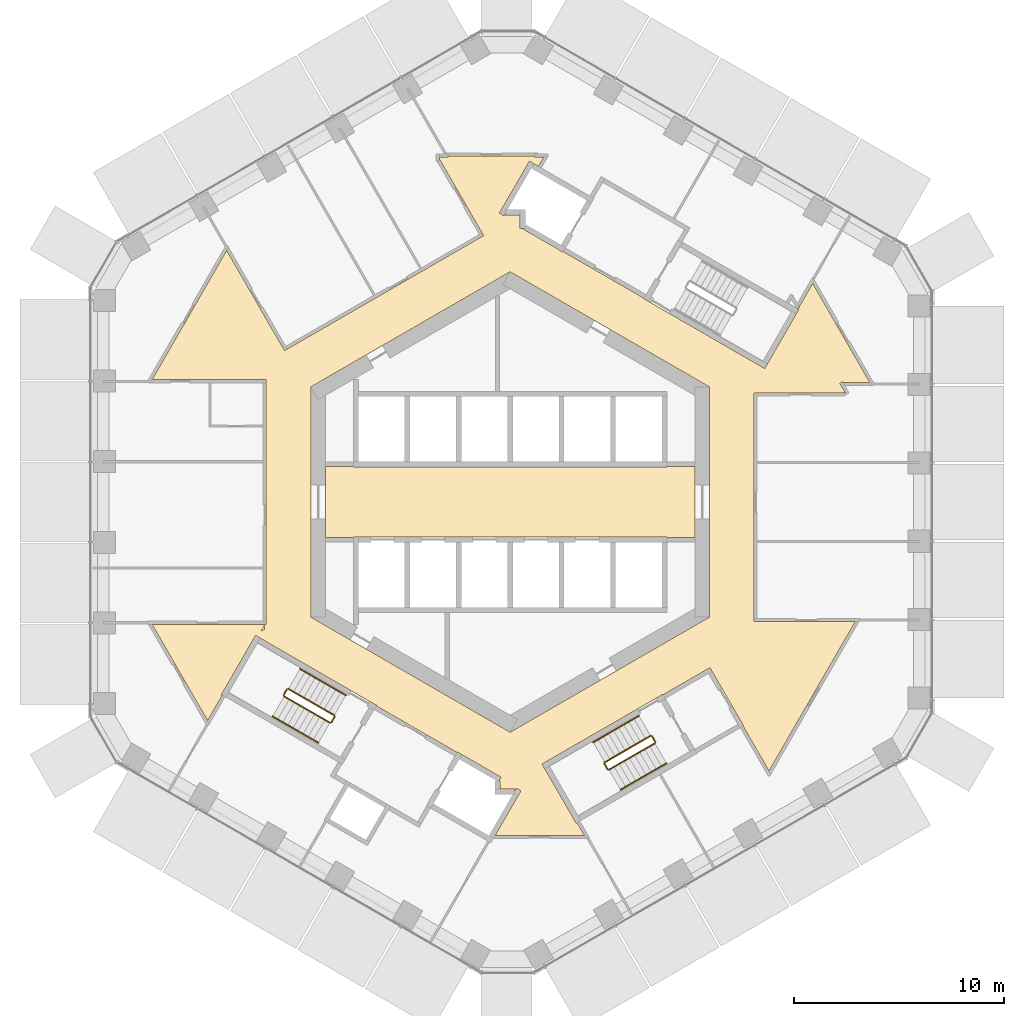
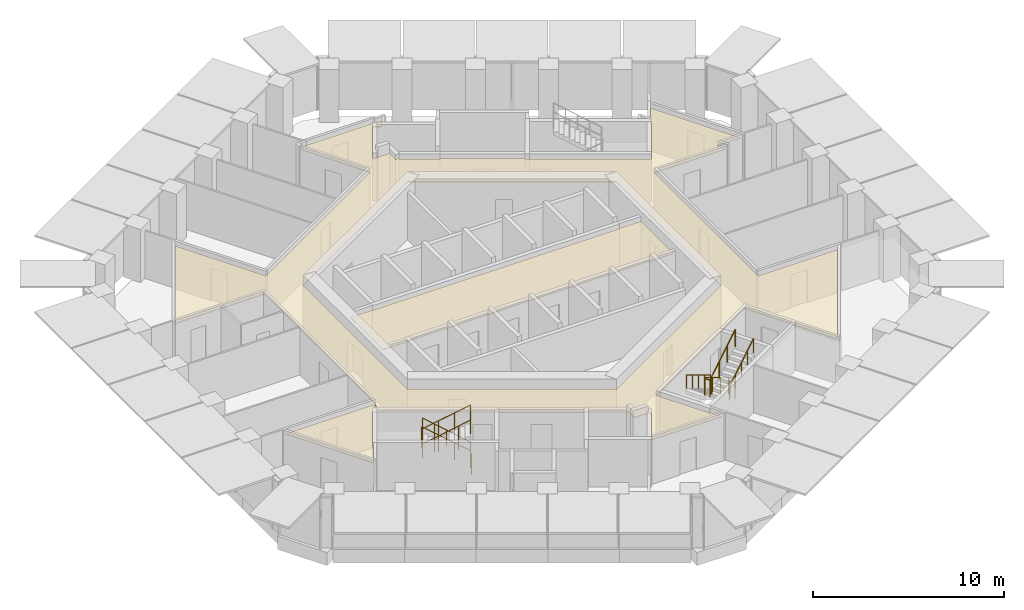
# One storey, part 17 of 18: 16 railings, 2 coverings.
"""IFC4 building model written with IfcOpenShell, lengths in metres."""

from ifc_helpers import new_model, si_unit, direction, frame, origin, origin_2d, place, context, subcontext, project, spatial, polyline, circle, outline, extrude, material, layer, layer_set, type_object, element, save


model = new_model("IFC4")

# Units and contexts
model_context = context("Model", 3, precision=1e-05, world=origin(), true_north=direction((0.0, 1.0)))
body_context = subcontext(model_context, "Body", "Model", "MODEL_VIEW")
ifc_project = project(units=[si_unit("LENGTHUNIT", "METRE"), si_unit("AREAUNIT", "SQUARE_METRE"), si_unit("VOLUMEUNIT", "CUBIC_METRE"), si_unit("PLANEANGLEUNIT", "RADIAN"), si_unit("MASSUNIT", "GRAM", prefix="KILO")], contexts=[model_context])

# Site, building, storey
site_placement = place(None, origin())
site = spatial("IfcSite", under=ifc_project, at=site_placement, CompositionType="ELEMENT")
building_placement = place(site_placement, origin())
building = spatial("IfcBuilding", under=site, at=building_placement, Name="Ayvan Gate Tower", CompositionType="ELEMENT")
storey_placement = place(building_placement, frame((0.0, 0.0, 89.89990234375)))
storey = spatial("IfcBuildingStorey", under=building, at=storey_placement, Name="L23", CompositionType="ELEMENT", Elevation=89.89990234375)

# Coverings
ifc_material_1 = material(Name="Plasterboard suspended ceiling")
ifc_layer = layer(ifc_material_1, 0.050048828125)
ifc_layer_set = layer_set([ifc_layer], Name="Plasterboard suspended ceiling")
covering_type = type_object("IfcCoveringType", Name="CT-SUSP-50", PredefinedType="CEILING", material=ifc_layer_set)
covering_1_placement = place(storey_placement, frame((0.0, 0.0, 2.7001953125)))
element("IfcCovering", 1, at=covering_1_placement, inside=storey, type_object=covering_type, Name="Ceiling Lift Lobby L23", PredefinedType="CEILING", context=body_context, shape_type="SweptSolid", body=[
    extrude(outline(polyline([(7.47509765625, -1.675048828125), (-7.47509765625, -1.675048828125), (-7.47509765625, -1.699951171875), (-8.800048828125, -1.699951171875), (-8.800048828125, 1.699951171875), (-7.47509765625, 1.699951171875), (-7.47509765625, 1.675048828125), (7.47509765625, 1.675048828125), (7.47509765625, 1.699951171875), (8.800048828125, 1.699951171875), (8.800048828125, -1.699951171875), (7.47509765625, -1.699951171875), (7.47509765625, -1.675048828125)])), origin(), (0.0, 0.0, 1.0), 0.0498046875),
])
covering_2_placement = place(storey_placement, frame((0.0, 0.0, 2.7001953125)))
element("IfcCovering", 2, at=covering_2_placement, inside=storey, type_object=covering_type, Name="Ceiling Ring Corridor L23", PredefinedType="CEILING", context=body_context, shape_type="SweptSolid", body=[
    extrude(outline(polyline([(-11.625, 5.826904296875), (-17.065185546875, 5.826904296875), (-13.507568359375, 11.98876953125), (-10.751953125, 7.2158203125), (-10.639404296875, 7.28076171875), (-1.2626953125, 12.6943359375), (-1.337890625, 12.82421875), (-3.347412109375, 16.30517578125), (-3.375, 16.289306640625), (-3.375, 16.43603515625), (-2.968505859375, 16.43603515625), (-2.968505859375, 16.492431640625), (1.15380859375, 16.492431640625), (1.15380859375, 16.43603515625), (1.6083984375, 16.43603515625), (1.351806640625, 15.99169921875), (1.135498046875, 16.116455078125), (0.918701171875, 16.241455078125), (-0.511474609375, 13.76416015625), (-0.294921875, 13.63916015625), (-0.215576171875, 13.776611328125), (-0.215576171875, 13.68505859375), (0.47509765625, 13.68505859375), (0.47509765625, 13.03857421875), (0.672119140625, 13.03857421875), (0.645751953125, 12.992919921875), (2.518310546875, 11.91162109375), (2.53076171875, 11.933349609375), (6.384521484375, 9.70849609375), (6.3720703125, 9.686767578125), (6.588623046875, 9.561767578125), (12.131103515625, 6.36181640625), (12.24609375, 6.56103515625), (13.631103515625, 8.959716796875), (13.756103515625, 9.176513671875), (13.681396484375, 9.219482421875), (13.7919921875, 9.283447265625), (13.744384765625, 9.365966796875), (13.7919921875, 9.33837890625), (14.414794921875, 10.417236328125), (17.136474609375, 5.70361328125), (15.890625, 5.70361328125), (15.890625, 5.648681640625), (15.843017578125, 5.73095703125), (15.713134765625, 5.656005859375), (15.974365234375, 5.20361328125), (11.625, 5.20361328125), (11.625, -5.70361328125), (16.443603515625, -5.70361328125), (12.33642578125, -12.8173828125), (11.102294921875, -10.6796875), (11.123779296875, -10.667236328125), (9.623779296875, -8.069091796875), (9.52392578125, -7.89599609375), (7.2939453125, -9.183349609375), (7.281494140625, -9.16162109375), (1.522216796875, -12.48681640625), (1.647216796875, -12.703369140625), (3.147216796875, -15.30126953125), (3.190673828125, -15.2763671875), (3.54638671875, -15.892333984375), (-0.71728515625, -15.892333984375), (0.511474609375, -13.76416015625), (0.294921875, -13.63916015625), (0.215576171875, -13.776611328125), (0.215576171875, -13.68505859375), (-0.47509765625, -13.68505859375), (-0.47509765625, -13.28857421875), (-0.52783203125, -13.28857421875), (-0.42919921875, -13.117919921875), (-2.284423828125, -12.046630859375), (-2.518310546875, -11.91162109375), (-2.53076171875, -11.933349609375), (-6.384521484375, -9.70849609375), (-6.3720703125, -9.686767578125), (-11.897216796875, -6.49658203125), (-12.131103515625, -6.36181640625), (-13.756103515625, -9.17626953125), (-13.712890625, -9.201416015625), (-14.414794921875, -10.417236328125), (-17.065185546875, -5.826904296875), (-11.625, -5.826904296875), (-11.625, 5.826904296875)]), holes=[polyline([(9.5, 5.48486328125), (8.771728515625, 5.9052734375), (0.0, 10.9697265625), (-8.771728515625, 5.9052734375), (-9.5, 5.48486328125), (-9.5, -5.48486328125), (-8.771728515625, -5.9052734375), (0.0, -10.9697265625), (8.771728515625, -5.9052734375), (9.5, -5.48486328125), (9.5, 5.48486328125)]), polyline([(-11.699951171875, -6.062255859375), (-11.699951171875, -5.864990234375), (-11.870849609375, -6.160888671875), (-11.699951171875, -6.062255859375)])]), origin(), (0.0, 0.0, 1.0), 0.0498046875),
])

# Railings
ifc_material_2 = material(Name="Stainless steel balustrade", Category="steel")
railing_type_1 = type_object("IfcRailingType", Name="RL-GUARD-1100", PredefinedType="GUARDRAIL", material=ifc_material_2)
railing_1_placement = place(storey_placement, frame((-8.381103515625, -10.16650390625, 0.170166015625)))
element("IfcRailing", 3, at=railing_1_placement, inside=storey, type_object=railing_type_1, Name="L23 STS2 stair guard 1", PredefinedType="GUARDRAIL", context=body_context, shape_type="SweptSolid", body=[
    extrude(circle(Radius=0.02392578125, at=origin_2d()), frame((0.0, 0.0, 1.076171875), z_axis=(-0.740261155115, 0.427395438142, 0.518986090067), x_axis=(-0.500004791531, -0.866022637375, 0.0)), (0.0, 0.0, 1.0), 2.947998046875),
    extrude(circle(Radius=0.02099609375, at=origin_2d()), origin(), (0.0, 0.0, 1.0), 1.052001953125),
    extrude(circle(Radius=0.02099609375, at=origin_2d()), frame((-0.7275390625, 0.419921875, 0.510009765625)), (0.0, 0.0, 1.0), 1.052001953125),
    extrude(circle(Radius=0.02099609375, at=origin_2d()), frame((-1.454833984375, 0.840087890625, 1.02001953125)), (0.0, 0.0, 1.0), 1.052001953125),
    extrude(circle(Radius=0.02099609375, at=origin_2d()), frame((-2.182373046875, 1.260009765625, 1.530029296875)), (0.0, 0.0, 1.0), 1.052001953125),
])
railing_2_placement = place(storey_placement, frame((-10.6318359375, -8.9248046875, 1.7001953125)))
element("IfcRailing", 4, at=railing_2_placement, inside=storey, type_object=railing_type_1, Name="L23 STS2 stair guard 2", PredefinedType="GUARDRAIL", context=body_context, shape_type="SweptSolid", body=[
    extrude(circle(Radius=0.02392578125, at=origin_2d()), frame((0.0, 0.0, 1.076171875), z_axis=(-0.499949632511, -0.866054481515, 0.0), x_axis=(0.866054481515, -0.499949632511, 0.0)), (0.0, 0.0, 1.0), 0.31005859375),
    extrude(circle(Radius=0.02099609375, at=origin_2d()), origin(), (0.0, 0.0, 1.0), 1.052001953125),
    extrude(circle(Radius=0.02099609375, at=origin_2d()), frame((-0.155029296875, -0.2685546875, 0.0)), (0.0, 0.0, 1.0), 1.052001953125),
])
railing_3_placement = place(storey_placement, frame((-10.7685546875, -9.261474609375, 1.8701171875)))
element("IfcRailing", 5, at=railing_3_placement, inside=storey, type_object=railing_type_1, Name="L23 STS2 stair guard 3", PredefinedType="GUARDRAIL", context=body_context, shape_type="SweptSolid", body=[
    extrude(circle(Radius=0.02392578125, at=origin_2d()), frame((0.0, 0.0, 1.076171875), z_axis=(0.740261155115, -0.427395438142, 0.518986090067), x_axis=(0.500004791531, 0.866022637375, 0.0)), (0.0, 0.0, 1.0), 2.947998046875),
    extrude(circle(Radius=0.02099609375, at=origin_2d()), origin(), (0.0, 0.0, 1.0), 1.052001953125),
    extrude(circle(Radius=0.02099609375, at=origin_2d()), frame((0.7275390625, -0.419921875, 0.510009765625)), (0.0, 0.0, 1.0), 1.052001953125),
    extrude(circle(Radius=0.02099609375, at=origin_2d()), frame((1.454833984375, -0.840087890625, 1.02001953125)), (0.0, 0.0, 1.0), 1.052001953125),
    extrude(circle(Radius=0.02099609375, at=origin_2d()), frame((2.182373046875, -1.260009765625, 1.530029296875)), (0.0, 0.0, 1.0), 1.052001953125),
])
railing_4_placement = place(storey_placement, frame((-8.36279296875, -10.23486328125, 0.0)))
element("IfcRailing", 6, at=railing_4_placement, inside=storey, type_object=railing_type_1, Name="L23 STS2 stair guard 4", PredefinedType="GUARDRAIL", context=body_context, shape_type="SweptSolid", body=[
    extrude(circle(Radius=0.02392578125, at=origin_2d()), frame((0.0, 0.0, 1.076171875), z_axis=(-0.500290723946, -0.86585748916, 0.0), x_axis=(0.86585748916, -0.500290723946, 0.0)), (0.0, 0.0, 1.0), 0.309814453125),
    extrude(circle(Radius=0.02099609375, at=origin_2d()), origin(), (0.0, 0.0, 1.0), 1.052001953125),
    extrude(circle(Radius=0.02099609375, at=origin_2d()), frame((-0.155029296875, -0.268310546875, 0.0)), (0.0, 0.0, 1.0), 1.052001953125),
])
railing_5_placement = place(storey_placement, frame((6.6923828125, -11.1416015625, 0.170166015625)))
element("IfcRailing", 7, at=railing_5_placement, inside=storey, type_object=railing_type_1, Name="L23 STS3 stair guard 1", PredefinedType="GUARDRAIL", context=body_context, shape_type="SweptSolid", body=[
    extrude(circle(Radius=0.02392578125, at=origin_2d()), frame((0.0, 0.0, 1.076171875), z_axis=(-0.740261155115, -0.427395438142, 0.518986090067), x_axis=(0.500004791531, -0.866022637375, 0.0)), (0.0, 0.0, 1.0), 2.947998046875),
    extrude(circle(Radius=0.02099609375, at=origin_2d()), origin(), (0.0, 0.0, 1.0), 1.052001953125),
    extrude(circle(Radius=0.02099609375, at=origin_2d()), frame((-0.7275390625, -0.419921875, 0.510009765625)), (0.0, 0.0, 1.0), 1.052001953125),
    extrude(circle(Radius=0.02099609375, at=origin_2d()), frame((-1.454833984375, -0.840087890625, 1.02001953125)), (0.0, 0.0, 1.0), 1.052001953125),
    extrude(circle(Radius=0.02099609375, at=origin_2d()), frame((-2.182373046875, -1.260009765625, 1.530029296875)), (0.0, 0.0, 1.0), 1.052001953125),
])
railing_6_placement = place(storey_placement, frame((4.49169921875, -12.4697265625, 1.7001953125)))
element("IfcRailing", 8, at=railing_6_placement, inside=storey, type_object=railing_type_1, Name="L23 STS3 stair guard 2", PredefinedType="GUARDRAIL", context=body_context, shape_type="SweptSolid", body=[
    extrude(circle(Radius=0.02392578125, at=origin_2d()), frame((0.0, 0.0, 1.076171875), z_axis=(0.499949632511, -0.866054481515, 0.0), x_axis=(0.866054481515, 0.499949632511, 0.0)), (0.0, 0.0, 1.0), 0.31005859375),
    extrude(circle(Radius=0.02099609375, at=origin_2d()), origin(), (0.0, 0.0, 1.0), 1.052001953125),
    extrude(circle(Radius=0.02099609375, at=origin_2d()), frame((0.155029296875, -0.2685546875, 0.0)), (0.0, 0.0, 1.0), 1.052001953125),
])
railing_7_placement = place(storey_placement, frame((4.715087890625, -12.756591796875, 1.8701171875)))
element("IfcRailing", 9, at=railing_7_placement, inside=storey, type_object=railing_type_1, Name="L23 STS3 stair guard 3", PredefinedType="GUARDRAIL", context=body_context, shape_type="SweptSolid", body=[
    extrude(circle(Radius=0.02392578125, at=origin_2d()), frame((0.0, 0.0, 1.076171875), z_axis=(0.740261155115, 0.427395438142, 0.518986090067), x_axis=(-0.500004791531, 0.866022637375, 0.0)), (0.0, 0.0, 1.0), 2.947998046875),
    extrude(circle(Radius=0.02099609375, at=origin_2d()), origin(), (0.0, 0.0, 1.0), 1.052001953125),
    extrude(circle(Radius=0.02099609375, at=origin_2d()), frame((0.7275390625, 0.419921875, 0.510009765625)), (0.0, 0.0, 1.0), 1.052001953125),
    extrude(circle(Radius=0.02099609375, at=origin_2d()), frame((1.454833984375, 0.840087890625, 1.02001953125)), (0.0, 0.0, 1.0), 1.052001953125),
    extrude(circle(Radius=0.02099609375, at=origin_2d()), frame((2.182373046875, 1.260009765625, 1.530029296875)), (0.0, 0.0, 1.0), 1.052001953125),
])
railing_8_placement = place(storey_placement, frame((6.7607421875, -11.159912109375, 0.0)))
element("IfcRailing", 10, at=railing_8_placement, inside=storey, type_object=railing_type_1, Name="L23 STS3 stair guard 4", PredefinedType="GUARDRAIL", context=body_context, shape_type="SweptSolid", body=[
    extrude(circle(Radius=0.02392578125, at=origin_2d()), frame((0.0, 0.0, 1.076171875), z_axis=(0.500290723946, -0.86585748916, 0.0), x_axis=(0.86585748916, 0.500290723946, 0.0)), (0.0, 0.0, 1.0), 0.309814453125),
    extrude(circle(Radius=0.02099609375, at=origin_2d()), origin(), (0.0, 0.0, 1.0), 1.052001953125),
    extrude(circle(Radius=0.02099609375, at=origin_2d()), frame((0.155029296875, -0.268310546875, 0.0)), (0.0, 0.0, 1.0), 1.052001953125),
])
railing_type_2 = type_object("IfcRailingType", Name="RL-HANDRAIL-900", PredefinedType="HANDRAIL", material=ifc_material_2)
railing_9_placement = place(storey_placement, frame((-7.8310546875, -9.2138671875, 0.170166015625)))
element("IfcRailing", 11, at=railing_9_placement, inside=storey, type_object=railing_type_2, Name="L23 STS2 stair handrail 1", PredefinedType="HANDRAIL", context=body_context, shape_type="SweptSolid", body=[
    extrude(circle(Radius=0.02392578125, at=origin_2d()), frame((0.0, 0.0, 0.8759765625), z_axis=(-0.740356597536, 0.427319915356, 0.518912129772), x_axis=(-0.499890179513, -0.866088799389, 0.0)), (0.0, 0.0, 1.0), 1.47412109375),
    extrude(circle(Radius=0.02099609375, at=origin_2d()), origin(), (0.0, 0.0, 1.0), 0.851806640625),
    extrude(circle(Radius=0.02099609375, at=origin_2d()), frame((-0.545654296875, 0.31494140625, 0.38232421875)), (0.0, 0.0, 1.0), 0.851806640625),
    extrude(circle(Radius=0.02099609375, at=origin_2d()), frame((-1.09130859375, 0.6298828125, 0.764892578125)), (0.0, 0.0, 1.0), 0.851806640625),
])
railing_10_placement = place(storey_placement, frame((-8.92236328125, -8.583984375, 0.93505859375)))
element("IfcRailing", 12, at=railing_10_placement, inside=storey, type_object=railing_type_2, Name="L23 STS2 stair handrail 2", PredefinedType="HANDRAIL", context=body_context, shape_type="SweptSolid", body=[
    extrude(circle(Radius=0.02392578125, at=origin_2d()), frame((0.0, 0.0, 0.8759765625), z_axis=(-0.740165700939, 0.427470949681, 0.519060037311), x_axis=(-0.50011940292, -0.865956455501, 0.0)), (0.0, 0.0, 1.0), 1.47412109375),
    extrude(circle(Radius=0.02099609375, at=origin_2d()), origin(), (0.0, 0.0, 1.0), 0.851806640625),
    extrude(circle(Radius=0.02099609375, at=origin_2d()), frame((-0.54541015625, 0.31494140625, 0.382568359375)), (0.0, 0.0, 1.0), 0.851806640625),
    extrude(circle(Radius=0.02099609375, at=origin_2d()), frame((-1.091064453125, 0.630126953125, 0.76513671875)), (0.0, 0.0, 1.0), 0.851806640625),
])
railing_11_placement = place(storey_placement, frame((-11.318603515625, -10.214111328125, 1.8701171875)))
element("IfcRailing", 13, at=railing_11_placement, inside=storey, type_object=railing_type_2, Name="L23 STS2 stair handrail 3", PredefinedType="HANDRAIL", context=body_context, shape_type="SweptSolid", body=[
    extrude(circle(Radius=0.02392578125, at=origin_2d()), frame((0.0, 0.0, 0.8759765625), z_axis=(0.740304193401, -0.427455284825, 0.518875399983), x_axis=(0.500035496587, 0.86600490885, 0.0)), (0.0, 0.0, 1.0), 1.47412109375),
    extrude(circle(Radius=0.02099609375, at=origin_2d()), origin(), (0.0, 0.0, 1.0), 0.851806640625),
    extrude(circle(Radius=0.02099609375, at=origin_2d()), frame((0.545654296875, -0.31494140625, 0.38232421875)), (0.0, 0.0, 1.0), 0.851806640625),
    extrude(circle(Radius=0.02099609375, at=origin_2d()), frame((1.09130859375, -0.630126953125, 0.764892578125)), (0.0, 0.0, 1.0), 0.851806640625),
])
railing_12_placement = place(storey_placement, frame((-10.227294921875, -10.84423828125, 2.635009765625)))
element("IfcRailing", 14, at=railing_12_placement, inside=storey, type_object=railing_type_2, Name="L23 STS2 stair handrail 4", PredefinedType="HANDRAIL", context=body_context, shape_type="SweptSolid", body=[
    extrude(circle(Radius=0.02392578125, at=origin_2d()), frame((0.0, 0.0, 0.8759765625), z_axis=(0.740292964666, -0.42728318766, 0.519033143459), x_axis=(0.499890179513, 0.866088799389, 0.0)), (0.0, 0.0, 1.0), 1.47412109375),
    extrude(circle(Radius=0.02099609375, at=origin_2d()), origin(), (0.0, 0.0, 1.0), 0.851806640625),
    extrude(circle(Radius=0.02099609375, at=origin_2d()), frame((0.545654296875, -0.31494140625, 0.382568359375)), (0.0, 0.0, 1.0), 0.851806640625),
    extrude(circle(Radius=0.02099609375, at=origin_2d()), frame((1.09130859375, -0.6298828125, 0.76513671875)), (0.0, 0.0, 1.0), 0.851806640625),
])
railing_13_placement = place(storey_placement, frame((6.142333984375, -10.18896484375, 0.170166015625)))
element("IfcRailing", 15, at=railing_13_placement, inside=storey, type_object=railing_type_2, Name="L23 STS3 stair handrail 1", PredefinedType="HANDRAIL", context=body_context, shape_type="SweptSolid", body=[
    extrude(circle(Radius=0.02392578125, at=origin_2d()), frame((0.0, 0.0, 0.8759765625), z_axis=(-0.740281741151, -0.427372318678, 0.518975765278), x_axis=(0.499974077718, -0.866040369504, 0.0)), (0.0, 0.0, 1.0), 1.473876953125),
    extrude(circle(Radius=0.02099609375, at=origin_2d()), origin(), (0.0, 0.0, 1.0), 0.851806640625),
    extrude(circle(Radius=0.02099609375, at=origin_2d()), frame((-0.54541015625, -0.31494140625, 0.38232421875)), (0.0, 0.0, 1.0), 0.851806640625),
    extrude(circle(Radius=0.02099609375, at=origin_2d()), frame((-1.091064453125, -0.6298828125, 0.764892578125)), (0.0, 0.0, 1.0), 0.851806640625),
])
railing_14_placement = place(storey_placement, frame((5.05126953125, -10.81884765625, 0.93505859375)))
element("IfcRailing", 16, at=railing_14_placement, inside=storey, type_object=railing_type_2, Name="L23 STS3 stair handrail 2", PredefinedType="HANDRAIL", context=body_context, shape_type="SweptSolid", body=[
    extrude(circle(Radius=0.02392578125, at=origin_2d()), frame((0.0, 0.0, 0.8759765625), z_axis=(-0.740240574041, -0.427418550694, 0.518996411419), x_axis=(0.500035496587, -0.86600490885, 0.0)), (0.0, 0.0, 1.0), 1.474365234375),
    extrude(circle(Radius=0.02099609375, at=origin_2d()), origin(), (0.0, 0.0, 1.0), 0.851806640625),
    extrude(circle(Radius=0.02099609375, at=origin_2d()), frame((-0.545654296875, -0.31494140625, 0.382568359375)), (0.0, 0.0, 1.0), 0.851806640625),
    extrude(circle(Radius=0.02099609375, at=origin_2d()), frame((-1.09130859375, -0.630126953125, 0.76513671875)), (0.0, 0.0, 1.0), 0.851806640625),
])
railing_15_placement = place(storey_placement, frame((5.264892578125, -13.709228515625, 1.8701171875)))
element("IfcRailing", 17, at=railing_15_placement, inside=storey, type_object=railing_type_2, Name="L23 STS3 stair handrail 3", PredefinedType="HANDRAIL", context=body_context, shape_type="SweptSolid", body=[
    extrude(circle(Radius=0.02392578125, at=origin_2d()), frame((0.0, 0.0, 0.8759765625), z_axis=(0.740304193401, 0.427455284825, 0.518875399983), x_axis=(-0.500035496587, 0.86600490885, 0.0)), (0.0, 0.0, 1.0), 1.47412109375),
    extrude(circle(Radius=0.02099609375, at=origin_2d()), origin(), (0.0, 0.0, 1.0), 0.851806640625),
    extrude(circle(Radius=0.02099609375, at=origin_2d()), frame((0.545654296875, 0.31494140625, 0.38232421875)), (0.0, 0.0, 1.0), 0.851806640625),
    extrude(circle(Radius=0.02099609375, at=origin_2d()), frame((1.09130859375, 0.630126953125, 0.764892578125)), (0.0, 0.0, 1.0), 0.851806640625),
])
railing_16_placement = place(storey_placement, frame((6.356201171875, -13.0791015625, 2.635009765625)))
element("IfcRailing", 18, at=railing_16_placement, inside=storey, type_object=railing_type_2, Name="L23 STS3 stair handrail 4", PredefinedType="HANDRAIL", context=body_context, shape_type="SweptSolid", body=[
    extrude(circle(Radius=0.02392578125, at=origin_2d()), frame((0.0, 0.0, 0.8759765625), z_axis=(0.740218099111, 0.427335577468, 0.519096782863), x_axis=(-0.499974077718, 0.866040369504, 0.0)), (0.0, 0.0, 1.0), 1.473876953125),
    extrude(circle(Radius=0.02099609375, at=origin_2d()), origin(), (0.0, 0.0, 1.0), 0.851806640625),
    extrude(circle(Radius=0.02099609375, at=origin_2d()), frame((0.54541015625, 0.31494140625, 0.382568359375)), (0.0, 0.0, 1.0), 0.851806640625),
    extrude(circle(Radius=0.02099609375, at=origin_2d()), frame((1.091064453125, 0.6298828125, 0.76513671875)), (0.0, 0.0, 1.0), 0.851806640625),
])

save(model, "model.ifc")
